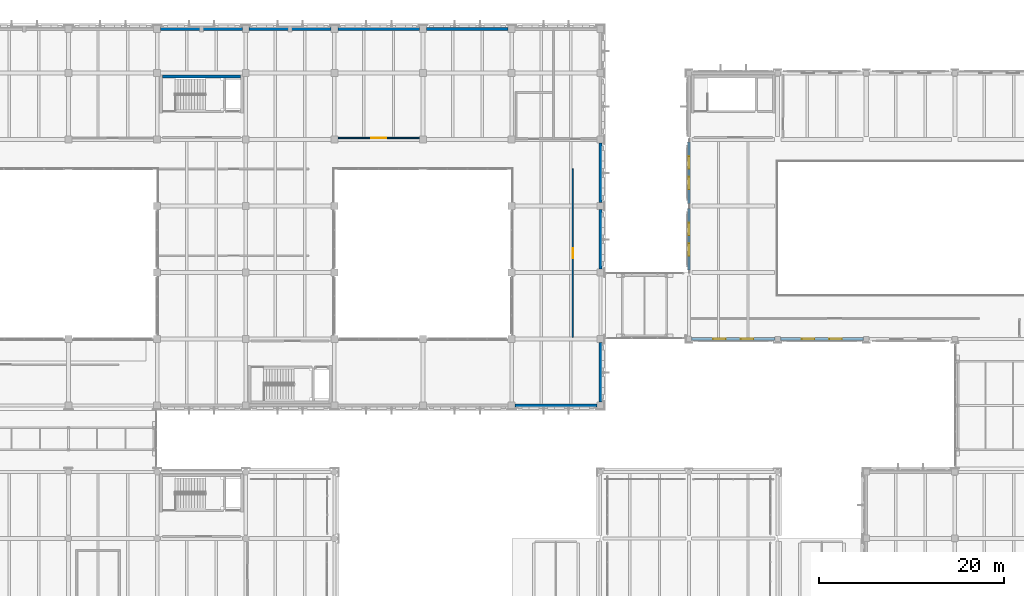
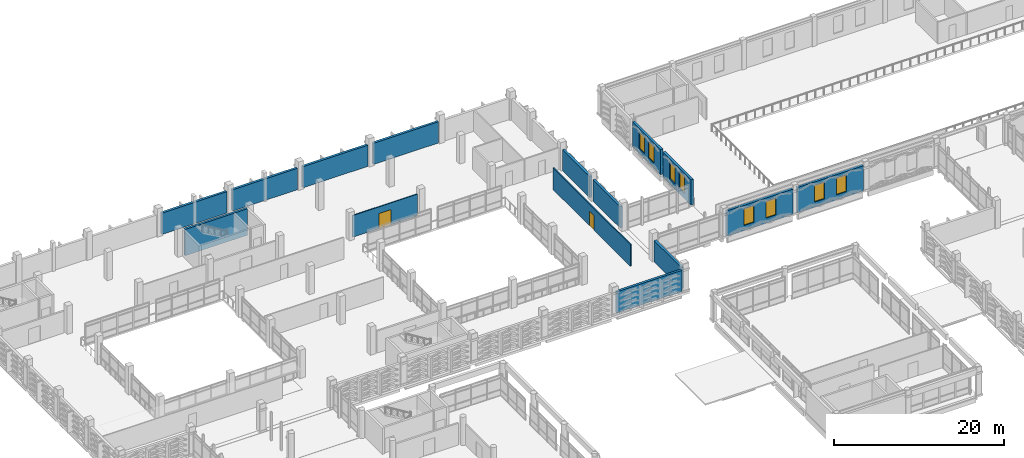
# One storey, part 155 of 180: 15 walls, 8 windows, 2 doors, 10 openings.
"""IFC4 building model written with IfcOpenShell, lengths in metres."""

from ifc_helpers import new_model, si_unit, direction, frame, frame_2d, origin, place, context, subcontext, project, spatial, rectangle, extrude, material, layer, layer_set, type_object, element, fill, save


model = new_model("IFC4")

# Units and contexts
model_context = context("Model", 3, precision=1e-05, world=origin(), true_north=direction((0.0, 1.0)))
body_context = subcontext(model_context, "Body", "Model", "MODEL_VIEW")
ifc_project = project(units=[si_unit("LENGTHUNIT", "METRE"), si_unit("AREAUNIT", "SQUARE_METRE"), si_unit("VOLUMEUNIT", "CUBIC_METRE"), si_unit("PLANEANGLEUNIT", "RADIAN"), si_unit("MASSUNIT", "GRAM", prefix="KILO")], contexts=[model_context])

# Site, building, storey
site_placement = place(None, origin())
site = spatial("IfcSite", under=ifc_project, at=site_placement, CompositionType="ELEMENT")
building_placement = place(site_placement, origin())
building = spatial("IfcBuilding", under=site, at=building_placement, Name="Asteropetra Specialist Clinic", CompositionType="ELEMENT")
storey_placement = place(building_placement, frame((0.0, 0.0, 4.419921875)))
storey = spatial("IfcBuildingStorey", under=building, at=storey_placement, Name="L01", CompositionType="ELEMENT", Elevation=4.419921875)

# Wall, openings, windows
ifc_material_1 = material(Name="Chevron terracotta deep", Category="masonry")
ifc_layer_1 = layer(ifc_material_1, 0.320068359375)
ifc_layer_set_1 = layer_set([ifc_layer_1], Name="Chevron terracotta deep")
wall_type_1 = type_object("IfcWallType", Name="EW-CHEV-TER-320", PredefinedType="SOLIDWALL", material=ifc_layer_set_1)
wall_1_placement = place(storey_placement, frame((86.699951171875, 76.800048828125, 0.0), z_axis=(0.0, 0.0, 1.0), x_axis=(1.0, 0.0, 0.0)))
wall_1 = element("IfcWall", 1, at=wall_1_placement, inside=storey, type_object=wall_type_1, Name="Exterior Wall EW-0011", PredefinedType="SOLIDWALL", context=body_context, shape_type="SweptSolid", body=[
    extrude(rectangle(XDim=9.0, YDim=0.320068359375, at=frame_2d((4.5, 0.0))), origin(), (0.0, 0.0, 1.0), 3.630126953125),
])
opening_1_placement = place(wall_1_placement, frame((2.324951171875, 0.0, 0.719970703125)))
opening_1 = element("IfcOpeningElement", 2, at=opening_1_placement, cuts=wall_1, Name="Opening W-0005", PredefinedType="OPENING", context=body_context, shape_type="SweptSolid", body=[
    extrude(rectangle(XDim=1.35009765625, YDim=2.419921875, at=frame_2d((0.675048828125, 1.2099609375))), frame((0.0, 0.169921875, 0.0), z_axis=(0.0, -1.0, 0.0), x_axis=(1.0, 0.0, 0.0)), (0.0, 0.0, 1.0), 0.340087890625),
])
opening_2_placement = place(wall_1_placement, frame((5.324951171875, 0.0, 0.719970703125)))
opening_2 = element("IfcOpeningElement", 3, at=opening_2_placement, cuts=wall_1, Name="Opening W-0006", PredefinedType="OPENING", context=body_context, shape_type="SweptSolid", body=[
    extrude(rectangle(XDim=1.35009765625, YDim=2.419921875, at=frame_2d((0.675048828125, 1.2099609375))), frame((0.0, 0.169921875, 0.0), z_axis=(0.0, -1.0, 0.0), x_axis=(1.0, 0.0, 0.0)), (0.0, 0.0, 1.0), 0.340087890625),
])
ifc_material_2 = material(Name="Thermally broken bronze aluminium and low-E glass", Category="aluminium")
window_type = type_object("IfcWindowType", Name="WIN-T23", PartitioningType="DOUBLE_PANEL_VERTICAL", PredefinedType="WINDOW", material=ifc_material_2)
window_1_placement = place(opening_1_placement, origin())
window_1 = element("IfcWindow", 4, at=window_1_placement, inside=storey, type_object=window_type, Name="Window W-0005", OverallHeight=2.419921875, OverallWidth=1.35009765625, PartitioningType="SINGLE_PANEL", PredefinedType="WINDOW", context=body_context, shape_type="SweptSolid", body=[
    extrude(rectangle(XDim=1.35009765625, YDim=2.419921875, at=frame_2d((0.675048828125, 1.2099609375))), frame((0.0, 0.030029296875, 0.0), z_axis=(0.0, -1.0, 0.0), x_axis=(1.0, 0.0, 0.0)), (0.0, 0.0, 1.0), 0.06005859375),
])
fill(opening_1, window_1)
window_2_placement = place(opening_2_placement, origin())
window_2 = element("IfcWindow", 5, at=window_2_placement, inside=storey, type_object=window_type, Name="Window W-0006", OverallHeight=2.419921875, OverallWidth=1.35009765625, PartitioningType="SINGLE_PANEL", PredefinedType="WINDOW", context=body_context, shape_type="SweptSolid", body=[
    extrude(rectangle(XDim=1.35009765625, YDim=2.419921875, at=frame_2d((0.675048828125, 1.2099609375))), frame((0.0, 0.030029296875, 0.0), z_axis=(0.0, -1.0, 0.0), x_axis=(1.0, 0.0, 0.0)), (0.0, 0.0, 1.0), 0.06005859375),
])
fill(opening_2, window_2)

wall_2_placement = place(storey_placement, frame((96.300048828125, 76.800048828125, 0.0), z_axis=(0.0, 0.0, 1.0), x_axis=(1.0, 0.0, 0.0)))
wall_2 = element("IfcWall", 6, at=wall_2_placement, inside=storey, type_object=wall_type_1, Name="Exterior Wall EW-0013", PredefinedType="SOLIDWALL", context=body_context, shape_type="SweptSolid", body=[
    extrude(rectangle(XDim=9.0, YDim=0.320068359375, at=frame_2d((4.5, 0.0))), origin(), (0.0, 0.0, 1.0), 3.630126953125),
])
opening_3_placement = place(wall_2_placement, frame((2.324951171875, 0.0, 0.719970703125)))
opening_3 = element("IfcOpeningElement", 7, at=opening_3_placement, cuts=wall_2, Name="Opening W-0007", PredefinedType="OPENING", context=body_context, shape_type="SweptSolid", body=[
    extrude(rectangle(XDim=1.35009765625, YDim=2.419921875, at=frame_2d((0.675048828125, 1.2099609375))), frame((0.0, 0.169921875, 0.0), z_axis=(0.0, -1.0, 0.0), x_axis=(1.0, 0.0, 0.0)), (0.0, 0.0, 1.0), 0.340087890625),
])
opening_4_placement = place(wall_2_placement, frame((5.324951171875, 0.0, 0.719970703125)))
opening_4 = element("IfcOpeningElement", 8, at=opening_4_placement, cuts=wall_2, Name="Opening W-0008", PredefinedType="OPENING", context=body_context, shape_type="SweptSolid", body=[
    extrude(rectangle(XDim=1.35009765625, YDim=2.419921875, at=frame_2d((0.675048828125, 1.2099609375))), frame((0.0, 0.169921875, 0.0), z_axis=(0.0, -1.0, 0.0), x_axis=(1.0, 0.0, 0.0)), (0.0, 0.0, 1.0), 0.340087890625),
])
window_3_placement = place(opening_3_placement, origin())
window_3 = element("IfcWindow", 9, at=window_3_placement, inside=storey, type_object=window_type, Name="Window W-0007", OverallHeight=2.419921875, OverallWidth=1.35009765625, PartitioningType="SINGLE_PANEL", PredefinedType="WINDOW", context=body_context, shape_type="SweptSolid", body=[
    extrude(rectangle(XDim=1.35009765625, YDim=2.419921875, at=frame_2d((0.675048828125, 1.2099609375))), frame((0.0, 0.030029296875, 0.0), z_axis=(0.0, -1.0, 0.0), x_axis=(1.0, 0.0, 0.0)), (0.0, 0.0, 1.0), 0.06005859375),
])
fill(opening_3, window_3)
window_4_placement = place(opening_4_placement, origin())
window_4 = element("IfcWindow", 10, at=window_4_placement, inside=storey, type_object=window_type, Name="Window W-0008", OverallHeight=2.419921875, OverallWidth=1.35009765625, PartitioningType="SINGLE_PANEL", PredefinedType="WINDOW", context=body_context, shape_type="SweptSolid", body=[
    extrude(rectangle(XDim=1.35009765625, YDim=2.419921875, at=frame_2d((0.675048828125, 1.2099609375))), frame((0.0, 0.030029296875, 0.0), z_axis=(0.0, -1.0, 0.0), x_axis=(1.0, 0.0, 0.0)), (0.0, 0.0, 1.0), 0.06005859375),
])
fill(opening_4, window_4)

wall_3_placement = place(storey_placement, frame((86.39990234375, 90.919921875, 0.0), z_axis=(0.0, 0.0, 1.0), x_axis=(0.0, -1.0, 0.0)))
wall_3 = element("IfcWall", 11, at=wall_3_placement, inside=storey, type_object=wall_type_1, Name="Exterior Wall EW-0025", PredefinedType="SOLIDWALL", context=body_context, shape_type="SweptSolid", body=[
    extrude(rectangle(XDim=6.639892578125, YDim=0.320068359375, at=frame_2d((3.31982421875, 0.0))), origin(), (0.0, 0.0, 1.0), 3.630126953125),
])
opening_5_placement = place(wall_3_placement, frame((1.538330078125, 0.0, 0.719970703125)))
opening_5 = element("IfcOpeningElement", 12, at=opening_5_placement, cuts=wall_3, Name="Opening W-0029", PredefinedType="OPENING", context=body_context, shape_type="SweptSolid", body=[
    extrude(rectangle(XDim=1.35009765625, YDim=2.419921875, at=frame_2d((0.675048828125, 1.2099609375))), frame((0.0, 0.169921875, 0.0), z_axis=(0.0, -1.0, 0.0), x_axis=(1.0, 0.0, 0.0)), (0.0, 0.0, 1.0), 0.340087890625),
])
opening_6_placement = place(wall_3_placement, frame((3.751708984375, 0.0, 0.719970703125)))
opening_6 = element("IfcOpeningElement", 13, at=opening_6_placement, cuts=wall_3, Name="Opening W-0030", PredefinedType="OPENING", context=body_context, shape_type="SweptSolid", body=[
    extrude(rectangle(XDim=1.35009765625, YDim=2.419921875, at=frame_2d((0.675048828125, 1.2099609375))), frame((0.0, 0.169921875, 0.0), z_axis=(0.0, -1.0, 0.0), x_axis=(1.0, 0.0, 0.0)), (0.0, 0.0, 1.0), 0.340087890625),
])
window_5_placement = place(opening_5_placement, origin())
window_5 = element("IfcWindow", 14, at=window_5_placement, inside=storey, type_object=window_type, Name="Window W-0029", OverallHeight=2.419921875, OverallWidth=1.35009765625, PartitioningType="SINGLE_PANEL", PredefinedType="WINDOW", context=body_context, shape_type="SweptSolid", body=[
    extrude(rectangle(XDim=1.35009765625, YDim=2.419921875, at=frame_2d((0.675048828125, 1.2099609375))), frame((0.0, 0.030029296875, 0.0), z_axis=(0.0, -1.0, 0.0), x_axis=(1.0, 0.0, 0.0)), (0.0, 0.0, 1.0), 0.06005859375),
])
fill(opening_5, window_5)
window_6_placement = place(opening_6_placement, origin())
window_6 = element("IfcWindow", 15, at=window_6_placement, inside=storey, type_object=window_type, Name="Window W-0030", OverallHeight=2.419921875, OverallWidth=1.35009765625, PartitioningType="SINGLE_PANEL", PredefinedType="WINDOW", context=body_context, shape_type="SweptSolid", body=[
    extrude(rectangle(XDim=1.35009765625, YDim=2.419921875, at=frame_2d((0.675048828125, 1.2099609375))), frame((0.0, 0.030029296875, 0.0), z_axis=(0.0, -1.0, 0.0), x_axis=(1.0, 0.0, 0.0)), (0.0, 0.0, 1.0), 0.06005859375),
])
fill(opening_6, window_6)

wall_4_placement = place(storey_placement, frame((86.39990234375, 98.1201171875, 0.0), z_axis=(0.0, 0.0, 1.0), x_axis=(0.0, -1.0, 0.0)))
wall_4 = element("IfcWall", 16, at=wall_4_placement, inside=storey, type_object=wall_type_1, Name="Exterior Wall EW-0027", PredefinedType="SOLIDWALL", context=body_context, shape_type="SweptSolid", body=[
    extrude(rectangle(XDim=6.64013671875, YDim=0.320068359375, at=frame_2d((3.320068359375, 0.0))), origin(), (0.0, 0.0, 1.0), 3.630126953125),
])
opening_7_placement = place(wall_4_placement, frame((1.538330078125, 0.0, 0.719970703125)))
opening_7 = element("IfcOpeningElement", 17, at=opening_7_placement, cuts=wall_4, Name="Opening W-0033", PredefinedType="OPENING", context=body_context, shape_type="SweptSolid", body=[
    extrude(rectangle(XDim=1.35009765625, YDim=2.419921875, at=frame_2d((0.675048828125, 1.2099609375))), frame((0.0, 0.169921875, 0.0), z_axis=(0.0, -1.0, 0.0), x_axis=(1.0, 0.0, 0.0)), (0.0, 0.0, 1.0), 0.340087890625),
])
opening_8_placement = place(wall_4_placement, frame((3.751708984375, 0.0, 0.719970703125)))
opening_8 = element("IfcOpeningElement", 18, at=opening_8_placement, cuts=wall_4, Name="Opening W-0034", PredefinedType="OPENING", context=body_context, shape_type="SweptSolid", body=[
    extrude(rectangle(XDim=1.35009765625, YDim=2.419921875, at=frame_2d((0.675048828125, 1.2099609375))), frame((0.0, 0.169921875, 0.0), z_axis=(0.0, -1.0, 0.0), x_axis=(1.0, 0.0, 0.0)), (0.0, 0.0, 1.0), 0.340087890625),
])
window_7_placement = place(opening_7_placement, origin())
window_7 = element("IfcWindow", 19, at=window_7_placement, inside=storey, type_object=window_type, Name="Window W-0033", OverallHeight=2.419921875, OverallWidth=1.35009765625, PartitioningType="SINGLE_PANEL", PredefinedType="WINDOW", context=body_context, shape_type="SweptSolid", body=[
    extrude(rectangle(XDim=1.35009765625, YDim=2.419921875, at=frame_2d((0.675048828125, 1.2099609375))), frame((0.0, 0.030029296875, 0.0), z_axis=(0.0, -1.0, 0.0), x_axis=(1.0, 0.0, 0.0)), (0.0, 0.0, 1.0), 0.06005859375),
])
fill(opening_7, window_7)
window_8_placement = place(opening_8_placement, origin())
window_8 = element("IfcWindow", 20, at=window_8_placement, inside=storey, type_object=window_type, Name="Window W-0034", OverallHeight=2.419921875, OverallWidth=1.35009765625, PartitioningType="SINGLE_PANEL", PredefinedType="WINDOW", context=body_context, shape_type="SweptSolid", body=[
    extrude(rectangle(XDim=1.35009765625, YDim=2.419921875, at=frame_2d((0.675048828125, 1.2099609375))), frame((0.0, 0.030029296875, 0.0), z_axis=(0.0, -1.0, 0.0), x_axis=(1.0, 0.0, 0.0)), (0.0, 0.0, 1.0), 0.06005859375),
])
fill(opening_8, window_8)

# Walls
wall_5_placement = place(storey_placement, frame((38.02490234375, 110.39990234375, 0.0), z_axis=(0.0, 0.0, 1.0), x_axis=(-1.0, 0.0, 0.0)))
element("IfcWall", 21, at=wall_5_placement, inside=storey, type_object=wall_type_1, Name="Exterior Wall EW-0067", PredefinedType="SOLIDWALL", context=body_context, shape_type="SweptSolid", body=[
    extrude(rectangle(XDim=8.849853515625, YDim=0.320068359375, at=frame_2d((4.4248046875, 0.0))), origin(), (0.0, 0.0, 1.0), 3.080078125),
])
wall_6_placement = place(storey_placement, frame((47.625, 110.39990234375, 0.0), z_axis=(0.0, 0.0, 1.0), x_axis=(-1.0, 0.0, 0.0)))
element("IfcWall", 22, at=wall_6_placement, inside=storey, type_object=wall_type_1, Name="Exterior Wall EW-0069", PredefinedType="SOLIDWALL", context=body_context, shape_type="SweptSolid", body=[
    extrude(rectangle(XDim=8.85009765625, YDim=0.320068359375, at=frame_2d((4.425048828125, 0.0))), origin(), (0.0, 0.0, 1.0), 3.080078125),
])
wall_7_placement = place(storey_placement, frame((57.22509765625, 110.39990234375, 0.0), z_axis=(0.0, 0.0, 1.0), x_axis=(-1.0, 0.0, 0.0)))
element("IfcWall", 23, at=wall_7_placement, inside=storey, type_object=wall_type_1, Name="Exterior Wall EW-0071", PredefinedType="SOLIDWALL", context=body_context, shape_type="SweptSolid", body=[
    extrude(rectangle(XDim=8.85009765625, YDim=0.320068359375, at=frame_2d((4.425048828125, 0.0))), origin(), (0.0, 0.0, 1.0), 3.050048828125),
])
wall_8_placement = place(storey_placement, frame((66.824951171875, 110.39990234375, 0.0), z_axis=(0.0, 0.0, 1.0), x_axis=(-1.0, 0.0, 0.0)))
element("IfcWall", 24, at=wall_8_placement, inside=storey, type_object=wall_type_1, Name="Exterior Wall EW-0073", PredefinedType="SOLIDWALL", context=body_context, shape_type="SweptSolid", body=[
    extrude(rectangle(XDim=8.849853515625, YDim=0.320068359375, at=frame_2d((4.4248046875, 0.0))), origin(), (0.0, 0.0, 1.0), 3.050048828125),
])
wall_9_placement = place(storey_placement, frame((67.574951171875, 69.60009765625, 0.0), z_axis=(0.0, 0.0, 1.0), x_axis=(1.0, 0.0, 0.0)))
element("IfcWall", 25, at=wall_9_placement, inside=storey, type_object=wall_type_1, Name="Exterior Wall EW-0074", PredefinedType="SOLIDWALL", context=body_context, shape_type="SweptSolid", body=[
    extrude(rectangle(XDim=8.85009765625, YDim=0.320068359375, at=frame_2d((4.425048828125, 0.0))), origin(), (0.0, 0.0, 1.0), 3.050048828125),
])
for number, where, z_axis, x_axis, name in (
    (26, (76.800048828125, 69.97509765625, 0.0), (0.0, 0.0, 1.0), (0.0, 1.0, 0.0), "Exterior Wall EW-0077"),
    (27, (76.800048828125, 84.375, 0.0), (0.0, 0.0, 1.0), (0.0, 1.0, 0.0), "Exterior Wall EW-0080"),
    (28, (76.800048828125, 91.574951171875, 0.0), (0.0, 0.0, 1.0), (0.0, 1.0, 0.0), "Exterior Wall EW-0082"),
):
    element("IfcWall", number, at=place(storey_placement, frame(where, z_axis=z_axis, x_axis=x_axis)), inside=storey, type_object=wall_type_1, Name=name, PredefinedType="SOLIDWALL", context=body_context, shape_type="SweptSolid", body=[
        extrude(rectangle(XDim=6.449951171875, YDim=0.320068359375, at=frame_2d((3.22509765625, 0.0))), origin(), (0.0, 0.0, 1.0), 3.050048828125),
    ])
ifc_material_3 = material(Name="Concrete C35/45", Category="concrete")
ifc_layer_2 = layer(ifc_material_3, 0.300048828125)
ifc_layer_set_2 = layer_set([ifc_layer_2], Name="Concrete C35/45")
wall_type_2 = type_object("IfcWallType", Name="W-CORE-300", PredefinedType="SHEAR", material=ifc_layer_set_2)
wall_10_placement = place(storey_placement, frame((29.364990234375, 105.239990234375, 0.0), z_axis=(0.0, 0.0, 1.0), x_axis=(1.0, 0.0, 0.0)))
element("IfcWall", 29, at=wall_10_placement, inside=storey, type_object=wall_type_2, Name="Core Wall CW-C2-L01-BACK", PredefinedType="SHEAR", context=body_context, shape_type="SweptSolid", body=[
    extrude(rectangle(XDim=8.469970703125, YDim=0.300048828125, at=frame_2d((4.23486328125, 0.0))), origin(), (0.0, 0.0, 1.0), 3.800048828125),
])

# Wall, opening, door
ifc_material_4 = material(Name="Office and seminar partition", Category="masonry")
ifc_layer_3 = layer(ifc_material_4, 0.1298828125)
ifc_layer_set_3 = layer_set([ifc_layer_3], Name="Office and seminar partition")
wall_type_3 = type_object("IfcWallType", Name="W-PART-130", PredefinedType="PARTITIONING", material=ifc_layer_set_3)
wall_11_placement = place(storey_placement, frame((48.3798828125, 98.580078125, 0.0), z_axis=(0.0, 0.0, 1.0), x_axis=(1.0, 0.0, 0.0)))
wall_11 = element("IfcWall", 30, at=wall_11_placement, inside=storey, type_object=wall_type_3, Name="Interior Partition PW-0108", PredefinedType="PARTITIONING", context=body_context, shape_type="SweptSolid", body=[
    extrude(rectangle(XDim=8.840087890625, YDim=0.1298828125, at=frame_2d((4.419921875, 0.0))), origin(), (0.0, 0.0, 1.0), 3.1201171875),
])
opening_9_placement = place(wall_11_placement, frame((3.594970703125, 0.0, 0.0)))
opening_9 = element("IfcOpeningElement", 31, at=opening_9_placement, cuts=wall_11, Name="Opening ID-0068", PredefinedType="OPENING", context=body_context, shape_type="SweptSolid", body=[
    extrude(rectangle(XDim=1.64990234375, YDim=2.14990234375, at=frame_2d((0.824951171875, 1.074951171875))), frame((0.0, 0.074951171875, 0.0), z_axis=(0.0, -1.0, 0.0), x_axis=(1.0, 0.0, 0.0)), (0.0, 0.0, 1.0), 0.14990234375),
])
ifc_material_5 = material(Name="Antimicrobial laminate timber leaf in steel frame", Category="steel")
door_type_1 = type_object("IfcDoorType", Name="ID-PROC-1650", OperationType="DOUBLE_DOOR_SINGLE_SWING", PredefinedType="DOOR", material=ifc_material_5)
door_1_placement = place(opening_9_placement, origin())
door_1 = element("IfcDoor", 32, at=door_1_placement, inside=storey, type_object=door_type_1, Name="Interior Door ID-0068", OperationType="DOUBLE_DOOR_SINGLE_SWING", OverallHeight=2.14990234375, OverallWidth=1.64990234375, PredefinedType="DOOR", context=body_context, shape_type="SweptSolid", body=[
    extrude(rectangle(XDim=1.64990234375, YDim=2.14990234375, at=frame_2d((0.824951171875, 1.074951171875))), frame((0.0, 0.02490234375, 0.0), z_axis=(0.0, -1.0, 0.0), x_axis=(1.0, 0.0, 0.0)), (0.0, 0.0, 1.0), 0.050048828125),
])
fill(opening_9, door_1)

ifc_material_6 = material(Name="Clinical consulting partition", Category="masonry")
ifc_layer_4 = layer(ifc_material_6, 0.14990234375)
ifc_layer_set_4 = layer_set([ifc_layer_4], Name="Clinical consulting partition")
wall_type_4 = type_object("IfcWallType", Name="W-PART-150", PredefinedType="PARTITIONING", material=ifc_layer_set_4)
wall_12_placement = place(storey_placement, frame((73.820068359375, 76.97998046875, 0.0), z_axis=(0.0, 0.0, 1.0), x_axis=(0.0, 1.0, 0.0)))
wall_12 = element("IfcWall", 33, at=wall_12_placement, inside=storey, type_object=wall_type_4, Name="Interior Partition PW-0106", PredefinedType="PARTITIONING", context=body_context, shape_type="SweptSolid", body=[
    extrude(rectangle(XDim=18.239990234375, YDim=0.14990234375, at=frame_2d((9.1201171875, 0.0))), origin(), (0.0, 0.0, 1.0), 3.1201171875),
])
opening_10_placement = place(wall_12_placement, frame((8.580078125, 0.0, 0.0)))
opening_10 = element("IfcOpeningElement", 34, at=opening_10_placement, cuts=wall_12, Name="Opening ID-0066", PredefinedType="OPENING", context=body_context, shape_type="SweptSolid", body=[
    extrude(rectangle(XDim=1.080078125, YDim=2.10009765625, at=frame_2d((0.5400390625, 1.050048828125))), frame((0.0, 0.0849609375, 0.0), z_axis=(0.0, -1.0, 0.0), x_axis=(1.0, 0.0, 0.0)), (0.0, 0.0, 1.0), 0.169921875),
])
ifc_material_7 = material(Name="Antimicrobial laminate timber leaf in steel frame", Category="steel")
door_type_2 = type_object("IfcDoorType", Name="ID-EXAM-1080", OperationType="SINGLE_SWING_LEFT", PredefinedType="DOOR", material=ifc_material_7)
door_2_placement = place(opening_10_placement, origin())
door_2 = element("IfcDoor", 35, at=door_2_placement, inside=storey, type_object=door_type_2, Name="Interior Door ID-0066", OperationType="SINGLE_SWING_LEFT", OverallHeight=2.10009765625, OverallWidth=1.080078125, PredefinedType="DOOR", context=body_context, shape_type="SweptSolid", body=[
    extrude(rectangle(XDim=1.080078125, YDim=2.10009765625, at=frame_2d((0.5400390625, 1.050048828125))), frame((0.0, 0.02490234375, 0.0), z_axis=(0.0, -1.0, 0.0), x_axis=(1.0, 0.0, 0.0)), (0.0, 0.0, 1.0), 0.050048828125),
])
fill(opening_10, door_2)

save(model, "model.ifc")
